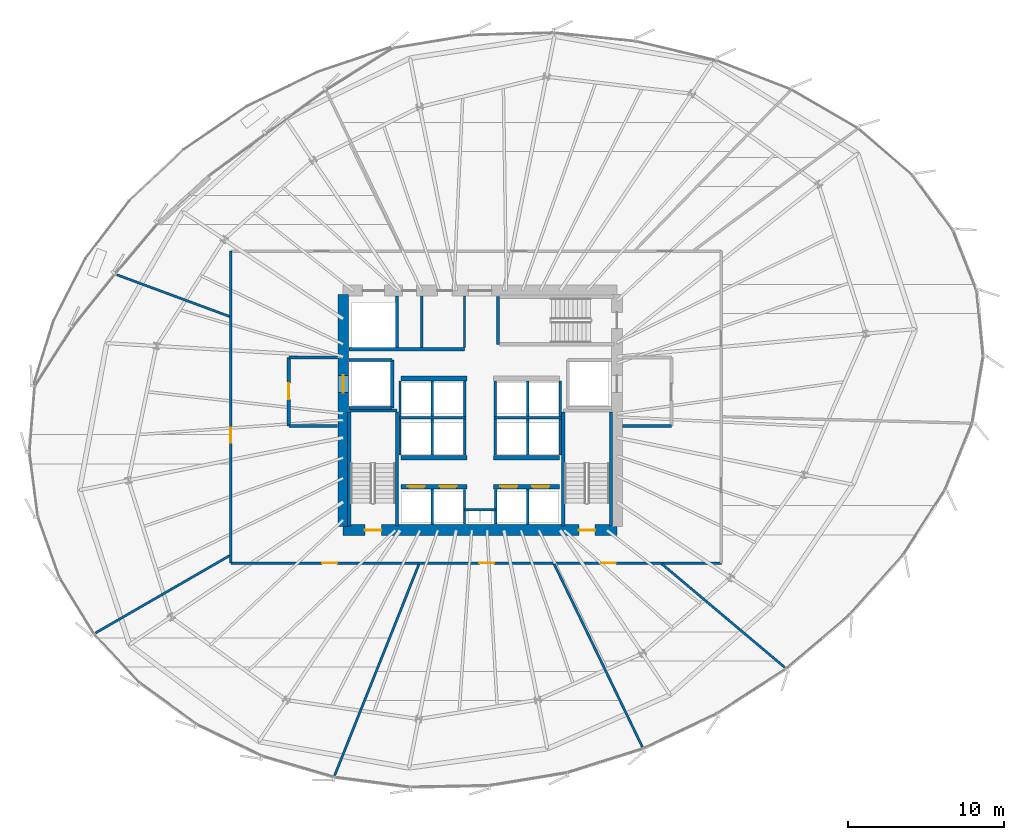
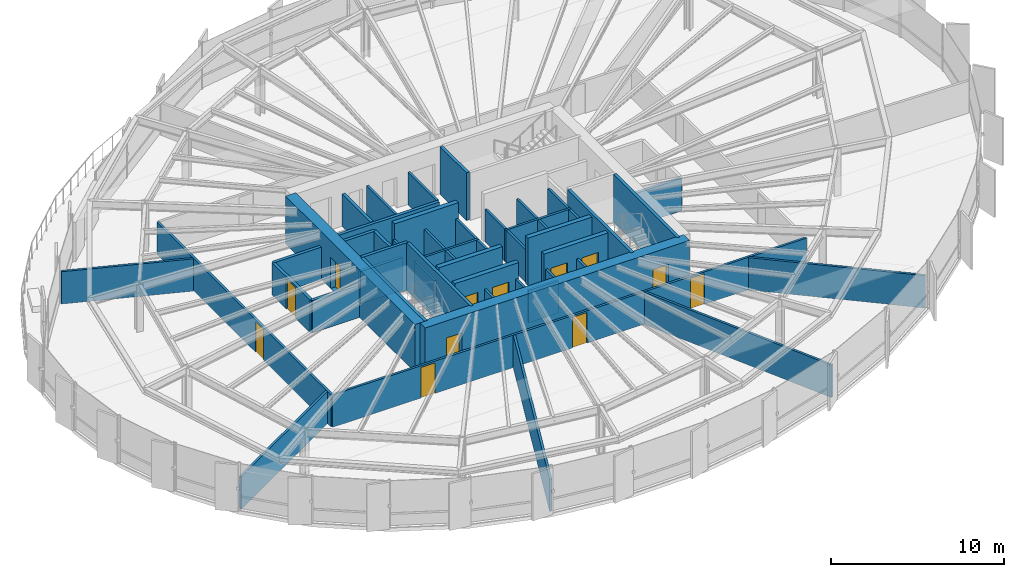
# One storey, part 29 of 35: 50 walls, 12 doors, 12 openings.
"""IFC4 building model written with IfcOpenShell, lengths in metres."""

from ifc_helpers import new_model, si_unit, direction, frame, frame_2d, origin, place, context, subcontext, project, spatial, rectangle, extrude, source, transform, mapped, material, layer, layer_set, type_object, element, fill, save


model = new_model("IFC4")

# Units and contexts
model_context = context("Model", 3, precision=1e-05, world=origin(), true_north=direction((0.0, 1.0)))
body_context = subcontext(model_context, "Body", "Model", "MODEL_VIEW")
ifc_project = project(units=[si_unit("LENGTHUNIT", "METRE"), si_unit("AREAUNIT", "SQUARE_METRE"), si_unit("VOLUMEUNIT", "CUBIC_METRE"), si_unit("PLANEANGLEUNIT", "RADIAN"), si_unit("MASSUNIT", "GRAM", prefix="KILO"), si_unit("THERMODYNAMICTEMPERATUREUNIT", "KELVIN")], contexts=[model_context])

# Site, building, storey
site_placement = place(None, origin())
site = spatial("IfcSite", under=ifc_project, at=site_placement, CompositionType="ELEMENT")
building_placement = place(site_placement, origin())
building = spatial("IfcBuilding", under=site, at=building_placement, Name="Kethvar Cultural Tower", CompositionType="ELEMENT")
storey_placement = place(building_placement, frame((0.0, 0.0, 89.199951171875)))
storey = spatial("IfcBuildingStorey", under=building, at=storey_placement, Name="L21", CompositionType="ELEMENT", Elevation=89.199951171875)

# Wall, openings, doors
ifc_material_1 = material(Name="Concrete C60/75", Category="concrete")
ifc_layer_1 = layer(ifc_material_1, 0.699951171875, Name="Concrete C60/75", Category="concrete")
ifc_layer_set_1 = layer_set([ifc_layer_1], Name="Concrete C60/75 (700 mm)")
wall_type_1 = type_object("IfcWallType", Name="WL-CORE-700", PredefinedType="SHEAR", material=ifc_layer_set_1)
wall_1_placement = place(storey_placement, frame((38.0, 20.10009765625, 0.0), z_axis=(0.0, 0.0, 1.0), x_axis=(1.0, 0.0, 0.0)))
wall_1 = element("IfcWall", 1, at=wall_1_placement, inside=storey, type_object=wall_type_1, Name="L21 Core Shear Wall S", PredefinedType="SHEAR", context=body_context, shape_type="SweptSolid", body=[
    extrude(rectangle(XDim=17.60009765625, YDim=0.699951171875, at=frame_2d((8.800048828125, 0.0))), origin(), (0.0, 0.0, 1.0), 3.35009765625),
])
opening_1_placement = place(wall_1_placement, frame((1.39990234375, 0.0, 0.0)))
opening_1 = element("IfcOpeningElement", 2, at=opening_1_placement, cuts=wall_1, Name="Opening D-L21-S1", PredefinedType="OPENING", context=body_context, shape_type="SweptSolid", body=[
    extrude(rectangle(XDim=1.050048828125, YDim=2.14990234375, at=frame_2d((0.52490234375, 1.074951171875))), frame((0.0, 0.35986328125, 0.0), z_axis=(0.0, -1.0, 0.0), x_axis=(1.0, 0.0, 0.0)), (0.0, 0.0, 1.0), 0.719970703125),
])
opening_2_placement = place(wall_1_placement, frame((15.14990234375, 0.0, 0.0)))
opening_2 = element("IfcOpeningElement", 3, at=opening_2_placement, cuts=wall_1, Name="Opening D-L21-ST2", PredefinedType="OPENING", context=body_context, shape_type="SweptSolid", body=[
    extrude(rectangle(XDim=1.050048828125, YDim=2.14990234375, at=frame_2d((0.52490234375, 1.074951171875))), frame((0.0, 0.35986328125, 0.0), z_axis=(0.0, -1.0, 0.0), x_axis=(1.0, 0.0, 0.0)), (0.0, 0.0, 1.0), 0.719970703125),
])
ifc_material_2 = material(Name="Steel S355J2", Category="steel")
door_type_1 = type_object("IfcDoorType", Name="DR-FD60-1050", OperationType="NOTDEFINED", PredefinedType="DOOR", material=ifc_material_2)
shared_shape_1 = source(origin(), body_context, "Body", "SweptSolid", [
    extrude(rectangle(XDim=1.050048828125, YDim=2.14990234375, at=frame_2d((0.52490234375, 1.074951171875))), frame((0.0, 0.02490234375, 0.0), z_axis=(0.0, -1.0, 0.0), x_axis=(1.0, 0.0, 0.0)), (0.0, 0.0, 1.0), 0.050048828125),
])
door_1_placement = place(opening_1_placement, origin())
door_1 = element("IfcDoor", 4, at=door_1_placement, inside=storey, type_object=door_type_1, Name="L21 Exit Stair 1 Door", OperationType="SINGLE_SWING_LEFT", OverallHeight=2.14990234375, OverallWidth=1.050048828125, PredefinedType="DOOR", context=body_context, shape_type="MappedRepresentation", body=[
    mapped(shared_shape_1, transform((0.0, 0.0, 0.0), scale=1.0)),
])
fill(opening_1, door_1)
door_2_placement = place(opening_2_placement, origin())
door_2 = element("IfcDoor", 5, at=door_2_placement, inside=storey, type_object=door_type_1, Name="L21 Exit Stair 2 Door", OperationType="SINGLE_SWING_RIGHT", OverallHeight=2.14990234375, OverallWidth=1.050048828125, PredefinedType="DOOR", context=body_context, shape_type="MappedRepresentation", body=[
    mapped(shared_shape_1, transform((0.0, 0.0, 0.0), scale=1.0)),
])
fill(opening_2, door_2)

# Wall, opening, door
wall_2_placement = place(storey_placement, frame((38.0, 35.260009765625, 0.0), z_axis=(0.0, 0.0, 1.0), x_axis=(0.0, -1.0, 0.0)))
wall_2 = element("IfcWall", 6, at=wall_2_placement, inside=storey, type_object=wall_type_1, Name="L21 Core Shear Wall W", PredefinedType="SHEAR", context=body_context, shape_type="SweptSolid", body=[
    extrude(rectangle(XDim=14.919921875, YDim=0.699951171875, at=frame_2d((7.4599609375, 0.0))), origin(), (0.0, 0.0, 1.0), 3.35009765625),
])
opening_3_placement = place(wall_2_placement, frame((5.2099609375, 0.0, 0.0)))
opening_3 = element("IfcOpeningElement", 7, at=opening_3_placement, cuts=wall_2, Name="Opening LD-1", PredefinedType="OPENING", context=body_context, shape_type="SweptSolid", body=[
    extrude(rectangle(XDim=1.10009765625, YDim=2.199951171875, at=frame_2d((0.550048828125, 1.10009765625))), frame((0.0, 0.35986328125, 0.0), z_axis=(0.0, -1.0, 0.0), x_axis=(1.0, 0.0, 0.0)), (0.0, 0.0, 1.0), 0.719970703125),
])
door_type_2 = type_object("IfcDoorType", Name="DR-LIFT-SLIDE-1100", OperationType="NOTDEFINED", PredefinedType="DOOR", material=ifc_material_2)
shared_shape_2 = source(origin(), body_context, "Body", "SweptSolid", [
    extrude(rectangle(XDim=1.10009765625, YDim=2.199951171875, at=frame_2d((0.550048828125, 1.10009765625))), frame((0.0, 0.02490234375, 0.0), z_axis=(0.0, -1.0, 0.0), x_axis=(1.0, 0.0, 0.0)), (0.0, 0.0, 1.0), 0.050048828125),
])
door_3_placement = place(opening_3_placement, origin())
door_3 = element("IfcDoor", 8, at=door_3_placement, inside=storey, type_object=door_type_2, Name="L21 Firefighting Lift Landing Door FFL-01", OperationType="SLIDING_TO_LEFT", OverallHeight=2.199951171875, OverallWidth=1.10009765625, PredefinedType="DOOR", context=body_context, shape_type="MappedRepresentation", body=[
    mapped(shared_shape_2, transform((0.0, 0.0, 0.0), scale=1.0)),
])
fill(opening_3, door_3)

# Walls
ifc_material_3 = material(Name="Gypsum Fireboard Partition")
ifc_layer_2 = layer(ifc_material_3, 0.14990234375, Name="Gypsum Fireboard Partition")
ifc_layer_set_2 = layer_set([ifc_layer_2], Name="Gypsum Fireboard Partition (150 mm)")
wall_type_2 = type_object("IfcWallType", Name="WL-FIRE-150", PredefinedType="PARTITIONING", material=ifc_layer_set_2)
wall_3_placement = place(storey_placement, frame((45.800048828125, 21.419921875, 0.0), z_axis=(0.0, 0.0, 1.0), x_axis=(1.0, 0.0, 0.0)))
element("IfcWall", 9, at=wall_3_placement, inside=storey, type_object=wall_type_2, Name="L21 Core Riser Wall", PredefinedType="PARTITIONING", context=body_context, shape_type="SweptSolid", body=[
    extrude(rectangle(XDim=2.0, YDim=0.14990234375, at=frame_2d((1.0, 0.0))), origin(), (0.0, 0.0, 1.0), 2.280029296875),
])
for number, where, z_axis, x_axis, name in (
    (10, (45.800048828125, 20.47998046875, 0.0), (0.0, 0.0, 1.0), (0.0, 1.0, 0.0), "L21 Core Riser West Wall"),
    (11, (47.800048828125, 20.47998046875, 0.0), (0.0, 0.0, 1.0), (0.0, 1.0, 0.0), "L21 Core Riser East Wall"),
):
    element("IfcWall", number, at=place(storey_placement, frame(where, z_axis=z_axis, x_axis=x_axis)), inside=storey, type_object=wall_type_2, Name=name, PredefinedType="PARTITIONING", context=body_context, shape_type="SweptSolid", body=[
        extrude(rectangle(XDim=2.239990234375, YDim=0.14990234375, at=frame_2d((1.1201171875, 0.0))), origin(), (0.0, 0.0, 1.0), 2.280029296875),
    ])
for number, where, z_axis, x_axis, name in (
    (12, (43.72509765625, 20.4599609375, 0.0), (0.0, 0.0, 1.0), (0.0, 1.0, 0.0), "L21 Low-Rise Lift Shaft Divider W"),
    (13, (49.875, 20.4599609375, 0.0), (0.0, 0.0, 1.0), (0.0, 1.0, 0.0), "L21 Low-Rise Lift Shaft Divider E"),
):
    element("IfcWall", number, at=place(storey_placement, frame(where, z_axis=z_axis, x_axis=x_axis)), inside=storey, type_object=wall_type_2, Name=name, PredefinedType="PARTITIONING", context=body_context, shape_type="SweptSolid", body=[
        extrude(rectangle(XDim=2.27001953125, YDim=0.14990234375, at=frame_2d((1.135009765625, 0.0))), origin(), (0.0, 0.0, 1.0), 2.280029296875),
    ])
wall_4_placement = place(storey_placement, frame((41.580078125, 27.324951171875, 0.0), z_axis=(0.0, 0.0, 1.0), x_axis=(1.0, 0.0, 0.0)))
element("IfcWall", 14, at=wall_4_placement, inside=storey, type_object=wall_type_2, Name="L21 Mid-High Lift Shaft Back Wall W", PredefinedType="PARTITIONING", context=body_context, shape_type="SweptSolid", body=[
    extrude(rectangle(XDim=4.31982421875, YDim=0.14990234375, at=frame_2d((2.159912109375, 0.0))), origin(), (0.0, 0.0, 1.0), 2.280029296875),
])
wall_5_placement = place(storey_placement, frame((47.699951171875, 27.324951171875, 0.0), z_axis=(0.0, 0.0, 1.0), x_axis=(1.0, 0.0, 0.0)))
element("IfcWall", 15, at=wall_5_placement, inside=storey, type_object=wall_type_2, Name="L21 Mid-High Lift Shaft Back Wall E", PredefinedType="PARTITIONING", context=body_context, shape_type="SweptSolid", body=[
    extrude(rectangle(XDim=4.320068359375, YDim=0.14990234375, at=frame_2d((2.16015625, 0.0))), origin(), (0.0, 0.0, 1.0), 2.280029296875),
])
for number, where, z_axis, x_axis, name in (
    (16, (41.64990234375, 24.919921875, 0.0), (0.0, 0.0, 1.0), (0.0, 1.0, 0.0), "L21 Mid-Rise Lift Shaft Outer Wall W"),
    (17, (43.72509765625, 24.919921875, 0.0), (0.0, 0.0, 1.0), (0.0, 1.0, 0.0), "L21 Mid-Rise Lift Shaft Divider W"),
    (18, (45.824951171875, 24.919921875, 0.0), (0.0, 0.0, 1.0), (0.0, 1.0, 0.0), "L21 Mid-Rise Lift Shaft Concourse Wall W"),
    (19, (47.77490234375, 24.919921875, 0.0), (0.0, 0.0, 1.0), (0.0, 1.0, 0.0), "L21 Mid-Rise Lift Shaft Concourse Wall E"),
    (20, (49.875, 24.919921875, 0.0), (0.0, 0.0, 1.0), (0.0, 1.0, 0.0), "L21 Mid-Rise Lift Shaft Divider E"),
    (21, (51.949951171875, 24.919921875, 0.0), (0.0, 0.0, 1.0), (0.0, 1.0, 0.0), "L21 Mid-Rise Lift Shaft Outer Wall E"),
):
    element("IfcWall", number, at=place(storey_placement, frame(where, z_axis=z_axis, x_axis=x_axis)), inside=storey, type_object=wall_type_2, Name=name, PredefinedType="PARTITIONING", context=body_context, shape_type="SweptSolid", body=[
        extrude(rectangle(XDim=2.320068359375, YDim=0.14990234375, at=frame_2d((1.16015625, 0.0))), origin(), (0.0, 0.0, 1.0), 2.280029296875),
    ])
for number, where, z_axis, x_axis, name in (
    (22, (41.64990234375, 27.409912109375, 0.0), (0.0, 0.0, 1.0), (0.0, 1.0, 0.0), "L21 High-Rise Lift Shaft Outer Wall W"),
    (23, (43.72509765625, 27.409912109375, 0.0), (0.0, 0.0, 1.0), (0.0, 1.0, 0.0), "L21 High-Rise Lift Shaft Divider W"),
    (24, (45.824951171875, 27.409912109375, 0.0), (0.0, 0.0, 1.0), (0.0, 1.0, 0.0), "L21 High-Rise Lift Shaft Concourse Wall W"),
    (25, (47.77490234375, 27.409912109375, 0.0), (0.0, 0.0, 1.0), (0.0, 1.0, 0.0), "L21 High-Rise Lift Shaft Concourse Wall E"),
    (26, (49.875, 27.409912109375, 0.0), (0.0, 0.0, 1.0), (0.0, 1.0, 0.0), "L21 High-Rise Lift Shaft Divider E"),
    (27, (51.949951171875, 27.409912109375, 0.0), (0.0, 0.0, 1.0), (0.0, 1.0, 0.0), "L21 High-Rise Lift Shaft Outer Wall E"),
):
    element("IfcWall", number, at=place(storey_placement, frame(where, z_axis=z_axis, x_axis=x_axis)), inside=storey, type_object=wall_type_2, Name=name, PredefinedType="PARTITIONING", context=body_context, shape_type="SweptSolid", body=[
        extrude(rectangle(XDim=2.27001953125, YDim=0.14990234375, at=frame_2d((1.135009765625, 0.0))), origin(), (0.0, 0.0, 1.0), 2.280029296875),
    ])
wall_6_placement = place(storey_placement, frame((45.800048828125, 31.85009765625, 0.0), z_axis=(0.0, 0.0, 1.0), x_axis=(0.0, 1.0, 0.0)))
element("IfcWall", 28, at=wall_6_placement, inside=storey, type_object=wall_type_2, Name="L21 Sanitary Spine Wall", PredefinedType="PARTITIONING", context=body_context, shape_type="SweptSolid", body=[
    extrude(rectangle(XDim=3.289794921875, YDim=0.14990234375, at=frame_2d((1.64501953125, 0.0))), origin(), (0.0, 0.0, 1.0), 2.280029296875),
])

# Wall, openings, doors
wall_7_placement = place(storey_placement, frame((30.77001953125, 17.97998046875, 0.0), z_axis=(0.0, 0.0, 1.0), x_axis=(1.0, 0.0, 0.0)))
wall_7 = element("IfcWall", 29, at=wall_7_placement, inside=storey, type_object=wall_type_2, Name="L21 Corridor Rated Wall S", PredefinedType="PARTITIONING", context=body_context, shape_type="SweptSolid", body=[
    extrude(rectangle(XDim=31.5400390625, YDim=0.14990234375, at=frame_2d((15.77001953125, 0.0))), origin(), (0.0, 0.0, 1.0), 2.280029296875),
])
opening_4_placement = place(wall_7_placement, frame((5.88037109375, 0.0, 0.0)))
opening_4 = element("IfcOpeningElement", 30, at=opening_4_placement, cuts=wall_7, Name="Opening D-L21-01", PredefinedType="OPENING", context=body_context, shape_type="SweptSolid", body=[
    extrude(rectangle(XDim=0.949951171875, YDim=2.14990234375, at=frame_2d((0.47509765625, 1.074951171875))), frame((0.0, 0.0849609375, 0.0), z_axis=(0.0, -1.0, 0.0), x_axis=(1.0, 0.0, 0.0)), (0.0, 0.0, 1.0), 0.169921875),
])
opening_5_placement = place(wall_7_placement, frame((15.977783203125, 0.0, 0.0)))
opening_5 = element("IfcOpeningElement", 31, at=opening_5_placement, cuts=wall_7, Name="Opening D-L21-02", PredefinedType="OPENING", context=body_context, shape_type="SweptSolid", body=[
    extrude(rectangle(XDim=0.949951171875, YDim=2.14990234375, at=frame_2d((0.47509765625, 1.074951171875))), frame((0.0, 0.0849609375, 0.0), z_axis=(0.0, -1.0, 0.0), x_axis=(1.0, 0.0, 0.0)), (0.0, 0.0, 1.0), 0.169921875),
])
opening_6_placement = place(wall_7_placement, frame((23.811767578125, 0.0, 0.0)))
opening_6 = element("IfcOpeningElement", 32, at=opening_6_placement, cuts=wall_7, Name="Opening D-L21-03", PredefinedType="OPENING", context=body_context, shape_type="SweptSolid", body=[
    extrude(rectangle(XDim=0.949951171875, YDim=2.14990234375, at=frame_2d((0.47509765625, 1.074951171875))), frame((0.0, 0.0849609375, 0.0), z_axis=(0.0, -1.0, 0.0), x_axis=(1.0, 0.0, 0.0)), (0.0, 0.0, 1.0), 0.169921875),
])
ifc_material_4 = material(Name="Architectural Oak Timber", Category="wood")
door_type_3 = type_object("IfcDoorType", Name="DR-FD30-950", OperationType="NOTDEFINED", PredefinedType="DOOR", material=ifc_material_4)
shared_shape_3 = source(origin(), body_context, "Body", "SweptSolid", [
    extrude(rectangle(XDim=0.949951171875, YDim=2.14990234375, at=frame_2d((0.47509765625, 1.074951171875))), frame((0.0, 0.02490234375, 0.0), z_axis=(0.0, -1.0, 0.0), x_axis=(1.0, 0.0, 0.0)), (0.0, 0.0, 1.0), 0.050048828125),
])
door_4_placement = place(opening_4_placement, origin())
door_4 = element("IfcDoor", 33, at=door_4_placement, inside=storey, type_object=door_type_3, Name="L21 Special Collections Storage 01 Door", OperationType="SINGLE_SWING_RIGHT", OverallHeight=2.14990234375, OverallWidth=0.949951171875, PredefinedType="DOOR", context=body_context, shape_type="MappedRepresentation", body=[
    mapped(shared_shape_3, transform((0.0, 0.0, 0.0), scale=1.0)),
])
fill(opening_4, door_4)
door_5_placement = place(opening_5_placement, origin())
door_5 = element("IfcDoor", 34, at=door_5_placement, inside=storey, type_object=door_type_3, Name="L21 Manuscript Archive Store 02 Door", OperationType="SINGLE_SWING_LEFT", OverallHeight=2.14990234375, OverallWidth=0.949951171875, PredefinedType="DOOR", context=body_context, shape_type="MappedRepresentation", body=[
    mapped(shared_shape_3, transform((0.0, 0.0, 0.0), scale=1.0)),
])
fill(opening_5, door_5)
door_6_placement = place(opening_6_placement, origin())
door_6 = element("IfcDoor", 35, at=door_6_placement, inside=storey, type_object=door_type_3, Name="L21 Artifact Conservation Storage 03 Door", OperationType="SINGLE_SWING_RIGHT", OverallHeight=2.14990234375, OverallWidth=0.949951171875, PredefinedType="DOOR", context=body_context, shape_type="MappedRepresentation", body=[
    mapped(shared_shape_3, transform((0.0, 0.0, 0.0), scale=1.0)),
])
fill(opening_6, door_6)

# Wall, opening, door
wall_8_placement = place(storey_placement, frame((30.77001953125, 38.0400390625, 0.0), z_axis=(0.0, 0.0, 1.0), x_axis=(0.0, -1.0, 0.0)))
wall_8 = element("IfcWall", 36, at=wall_8_placement, inside=storey, type_object=wall_type_2, Name="L21 Corridor Rated Wall W", PredefinedType="PARTITIONING", context=body_context, shape_type="SweptSolid", body=[
    extrude(rectangle(XDim=20.06005859375, YDim=0.14990234375, at=frame_2d((10.030029296875, 0.0))), origin(), (0.0, 0.0, 1.0), 2.280029296875),
])
opening_7_placement = place(wall_8_placement, frame((11.370361328125, 0.0, 0.0)))
opening_7 = element("IfcOpeningElement", 37, at=opening_7_placement, cuts=wall_8, Name="Opening D-L21-09", PredefinedType="OPENING", context=body_context, shape_type="SweptSolid", body=[
    extrude(rectangle(XDim=0.949951171875, YDim=2.14990234375, at=frame_2d((0.47509765625, 1.074951171875))), frame((0.0, 0.0849609375, 0.0), z_axis=(0.0, -1.0, 0.0), x_axis=(1.0, 0.0, 0.0)), (0.0, 0.0, 1.0), 0.169921875),
])
door_7_placement = place(opening_7_placement, origin())
door_7 = element("IfcDoor", 38, at=door_7_placement, inside=storey, type_object=door_type_3, Name="L21 Researchers' Study Lounge 09 Door", OperationType="SINGLE_SWING_RIGHT", OverallHeight=2.14990234375, OverallWidth=0.949951171875, PredefinedType="DOOR", context=body_context, shape_type="MappedRepresentation", body=[
    mapped(shared_shape_3, transform((0.0, 0.0, 0.0), scale=1.0)),
])
fill(opening_7, door_7)

# Walls
ifc_material_5 = material(Name="Concrete C40/50", Category="concrete")
ifc_layer_3 = layer(ifc_material_5, 0.199951171875, Name="Concrete C40/50", Category="concrete")
ifc_layer_set_3 = layer_set([ifc_layer_3], Name="Concrete C40/50 (200 mm)")
wall_type_3 = type_object("IfcWallType", Name="WL-FIRE-200", PredefinedType="PARTITIONING", material=ifc_layer_set_3)
wall_9_placement = place(storey_placement, frame((41.14990234375, 27.949951171875, 0.0), z_axis=(0.0, 0.0, 1.0), x_axis=(0.0, 1.0, 0.0)))
element("IfcWall", 39, at=wall_9_placement, inside=storey, type_object=wall_type_3, Name="L21 FFL-01 Shaft Inner Wall", PredefinedType="PARTITIONING", context=body_context, shape_type="SweptSolid", body=[
    extrude(rectangle(XDim=3.10009765625, YDim=0.199951171875, at=frame_2d((1.550048828125, 0.0))), origin(), (0.0, 0.0, 1.0), 2.280029296875),
])
for number, where, z_axis, x_axis, name in (
    (40, (38.360107421875, 27.949951171875, 0.0), (0.0, 0.0, 1.0), (1.0, 0.0, 0.0), "L21 FFL-01 Shaft South Wall"),
    (41, (38.360107421875, 31.050048828125, 0.0), (0.0, 0.0, 1.0), (1.0, 0.0, 0.0), "L21 FFL-01 Shaft North Wall"),
):
    element("IfcWall", number, at=place(storey_placement, frame(where, z_axis=z_axis, x_axis=x_axis)), inside=storey, type_object=wall_type_3, Name=name, PredefinedType="PARTITIONING", context=body_context, shape_type="SweptSolid", body=[
        extrude(rectangle(XDim=2.789794921875, YDim=0.199951171875, at=frame_2d((1.39501953125, 0.0))), origin(), (0.0, 0.0, 1.0), 2.280029296875),
    ])

# Wall, opening, door
wall_10_placement = place(storey_placement, frame((34.5, 31.199951171875, 0.0), z_axis=(0.0, 0.0, 1.0), x_axis=(0.0, -1.0, 0.0)))
wall_10 = element("IfcWall", 42, at=wall_10_placement, inside=storey, type_object=wall_type_3, Name="L21 Firefighting Lobby 1 Wall", PredefinedType="PARTITIONING", context=body_context, shape_type="SweptSolid", body=[
    extrude(rectangle(XDim=4.39990234375, YDim=0.199951171875, at=frame_2d((2.199951171875, 0.0))), origin(), (0.0, 0.0, 1.0), 2.280029296875),
])
opening_8_placement = place(wall_10_placement, frame((1.64990234375, 0.0, 0.0)))
opening_8 = element("IfcOpeningElement", 43, at=opening_8_placement, cuts=wall_10, Name="Opening D-L21-F1", PredefinedType="OPENING", context=body_context, shape_type="SweptSolid", body=[
    extrude(rectangle(XDim=1.050048828125, YDim=2.14990234375, at=frame_2d((0.52490234375, 1.074951171875))), frame((0.0, 0.10986328125, 0.0), z_axis=(0.0, -1.0, 0.0), x_axis=(1.0, 0.0, 0.0)), (0.0, 0.0, 1.0), 0.219970703125),
])
door_8_placement = place(opening_8_placement, origin())
door_8 = element("IfcDoor", 44, at=door_8_placement, inside=storey, type_object=door_type_1, Name="L21 Firefighting Lobby 1 Fire Door", OperationType="SINGLE_SWING_LEFT", OverallHeight=2.14990234375, OverallWidth=1.050048828125, PredefinedType="DOOR", context=body_context, shape_type="MappedRepresentation", body=[
    mapped(shared_shape_1, transform((0.0, 0.0, 0.0), scale=1.0)),
])
fill(opening_8, door_8)

# Walls
for number, where, z_axis, x_axis, name in (
    (45, (34.5, 26.800048828125, 0.0), (0.0, 0.0, 1.0), (1.0, 0.0, 0.0), "L21 FF Lobby 1 South Wall"),
    (46, (34.5, 31.199951171875, 0.0), (0.0, 0.0, 1.0), (1.0, 0.0, 0.0), "L21 FF Lobby 1 North Wall"),
):
    element("IfcWall", number, at=place(storey_placement, frame(where, z_axis=z_axis, x_axis=x_axis)), inside=storey, type_object=wall_type_3, Name=name, PredefinedType="PARTITIONING", context=body_context, shape_type="SweptSolid", body=[
        extrude(rectangle(XDim=3.139892578125, YDim=0.199951171875, at=frame_2d((1.56982421875, 0.0))), origin(), (0.0, 0.0, 1.0), 2.280029296875),
    ])
wall_11_placement = place(storey_placement, frame((55.9599609375, 26.800048828125, 0.0), z_axis=(0.0, 0.0, 1.0), x_axis=(1.0, 0.0, 0.0)))
element("IfcWall", 47, at=wall_11_placement, inside=storey, type_object=wall_type_3, Name="L21 FF Lobby 2 South Wall", PredefinedType="PARTITIONING", context=body_context, shape_type="SweptSolid", body=[
    extrude(rectangle(XDim=3.14013671875, YDim=0.199951171875, at=frame_2d((1.570068359375, 0.0))), origin(), (0.0, 0.0, 1.0), 2.280029296875),
])
wall_12_placement = place(storey_placement, frame((41.449951171875, 31.85009765625, 0.0), z_axis=(0.0, 0.0, 1.0), x_axis=(0.0, 1.0, 0.0)))
element("IfcWall", 48, at=wall_12_placement, inside=storey, type_object=wall_type_3, Name="L21 NW Core Pocket Wall", PredefinedType="PARTITIONING", context=body_context, shape_type="SweptSolid", body=[
    extrude(rectangle(XDim=3.289794921875, YDim=0.199951171875, at=frame_2d((1.64501953125, 0.0))), origin(), (0.0, 0.0, 1.0), 2.280029296875),
])
wall_13_placement = place(storey_placement, frame((38.360107421875, 31.72998046875, 0.0), z_axis=(0.0, 0.0, 1.0), x_axis=(1.0, 0.0, 0.0)))
element("IfcWall", 49, at=wall_13_placement, inside=storey, type_object=wall_type_3, Name="L21 North Core Sanitary South Wall", PredefinedType="PARTITIONING", context=body_context, shape_type="SweptSolid", body=[
    extrude(rectangle(XDim=7.43994140625, YDim=0.199951171875, at=frame_2d((3.719970703125, 0.0))), origin(), (0.0, 0.0, 1.0), 2.280029296875),
])
ifc_material_6 = material(Name="Gypsum Acoustic Partition")
ifc_layer_4 = layer(ifc_material_6, 0.14990234375, Name="Gypsum Acoustic Partition")
ifc_layer_set_4 = layer_set([ifc_layer_4], Name="Gypsum Acoustic Partition (150 mm)")
wall_type_4 = type_object("IfcWallType", Name="WL-PART-150", PredefinedType="PARTITIONING", material=ifc_layer_set_4)
wall_14_placement = place(storey_placement, frame((30.70068359375, 18.462646484375, 0.0), z_axis=(0.0, 0.0, 1.0), x_axis=(-0.866312143149, -0.499503023647, 0.0)))
element("IfcWall", 50, at=wall_14_placement, inside=storey, type_object=wall_type_4, Name="L21 Radial Partition Wall 01", PredefinedType="PARTITIONING", context=body_context, shape_type="SweptSolid", body=[
    extrude(rectangle(XDim=9.953857421875, YDim=0.14990234375, at=frame_2d((4.97705078125, 0.0))), origin(), (0.0, 0.0, 1.0), 2.280029296875),
])
wall_15_placement = place(storey_placement, frame((42.87109375, 17.90576171875, 0.0), z_axis=(0.0, 0.0, 1.0), x_axis=(-0.370800538724, -0.92871252844, 0.0)))
element("IfcWall", 51, at=wall_15_placement, inside=storey, type_object=wall_type_4, Name="L21 Radial Partition Wall 02", PredefinedType="PARTITIONING", context=body_context, shape_type="SweptSolid", body=[
    extrude(rectangle(XDim=14.6240234375, YDim=0.14990234375, at=frame_2d((7.31201171875, 0.0))), origin(), (0.0, 0.0, 1.0), 2.280029296875),
])
wall_16_placement = place(storey_placement, frame((51.570068359375, 17.907958984375, 0.0), z_axis=(0.0, 0.0, 1.0), x_axis=(0.434373756615, -0.900732723711, 0.0)))
element("IfcWall", 52, at=wall_16_placement, inside=storey, type_object=wall_type_4, Name="L21 Radial Partition Wall 03", PredefinedType="PARTITIONING", context=body_context, shape_type="SweptSolid", body=[
    extrude(rectangle(XDim=13.044677734375, YDim=0.14990234375, at=frame_2d((6.5224609375, 0.0))), origin(), (0.0, 0.0, 1.0), 2.280029296875),
])
wall_17_placement = place(storey_placement, frame((58.4853515625, 17.928466796875, 0.0), z_axis=(0.0, 0.0, 1.0), x_axis=(0.765056250886, -0.643963456247, 0.0)))
element("IfcWall", 53, at=wall_17_placement, inside=storey, type_object=wall_type_4, Name="L21 Radial Partition Wall 04", PredefinedType="PARTITIONING", context=body_context, shape_type="SweptSolid", body=[
    extrude(rectangle(XDim=10.3427734375, YDim=0.14990234375, at=frame_2d((5.17138671875, 0.0))), origin(), (0.0, 0.0, 1.0), 2.280029296875),
])
wall_18_placement = place(storey_placement, frame((30.695068359375, 33.837890625, 0.0), z_axis=(0.0, 0.0, 1.0), x_axis=(-0.937935058172, 0.346810937907, 0.0)))
element("IfcWall", 54, at=wall_18_placement, inside=storey, type_object=wall_type_4, Name="L21 Radial Partition Wall 09", PredefinedType="PARTITIONING", context=body_context, shape_type="SweptSolid", body=[
    extrude(rectangle(XDim=7.724609375, YDim=0.14990234375, at=frame_2d((3.8623046875, 0.0))), origin(), (0.0, 0.0, 1.0), 2.280029296875),
])
ifc_material_7 = material(Name="Moisture-Resistant Sanitary Chase Wall")
ifc_layer_5 = layer(ifc_material_7, 0.14990234375, Name="Moisture-Resistant Sanitary Chase Wall")
ifc_layer_set_5 = layer_set([ifc_layer_5], Name="Moisture-Resistant Sanitary Chase Wall (150 mm)")
wall_type_5 = type_object("IfcWallType", Name="WL-PLUMB-150", PredefinedType="PLUMBINGWALL", material=ifc_layer_set_5)
wall_19_placement = place(storey_placement, frame((43.050048828125, 31.85009765625, 0.0), z_axis=(0.0, 0.0, 1.0), x_axis=(0.0, 1.0, 0.0)))
element("IfcWall", 55, at=wall_19_placement, inside=storey, type_object=wall_type_5, Name="L21 Sanitary Plumbing Wall", PredefinedType="PLUMBINGWALL", context=body_context, shape_type="SweptSolid", body=[
    extrude(rectangle(XDim=3.289794921875, YDim=0.14990234375, at=frame_2d((1.64501953125, 0.0))), origin(), (0.0, 0.0, 1.0), 2.280029296875),
])

# Wall, openings, doors
ifc_material_8 = material(Name="Concrete C50/60", Category="concrete")
ifc_layer_6 = layer(ifc_material_8, 0.300048828125, Name="Concrete C50/60", Category="concrete")
ifc_layer_set_6 = layer_set([ifc_layer_6], Name="Concrete C50/60 (300 mm)")
wall_type_6 = type_object("IfcWallType", Name="WL-SHAFT-300", PredefinedType="SHEAR", material=ifc_layer_set_6)
wall_20_placement = place(storey_placement, frame((41.699951171875, 22.89990234375, 0.0), z_axis=(0.0, 0.0, 1.0), x_axis=(1.0, 0.0, 0.0)))
wall_20 = element("IfcWall", 56, at=wall_20_placement, inside=storey, type_object=wall_type_6, Name="L21 Core Lift Spine Wall MID1W", PredefinedType="SHEAR", context=body_context, shape_type="SweptSolid", body=[
    extrude(rectangle(XDim=4.25, YDim=0.300048828125, at=frame_2d((2.125, 0.0))), origin(), (0.0, 0.0, 1.0), 3.35009765625),
])
opening_9_placement = place(wall_20_placement, frame((0.449951171875, 0.0, 0.0)))
opening_9 = element("IfcOpeningElement", 57, at=opening_9_placement, cuts=wall_20, Name="Opening LD-L1", PredefinedType="OPENING", context=body_context, shape_type="SweptSolid", body=[
    extrude(rectangle(XDim=1.10009765625, YDim=2.199951171875, at=frame_2d((0.550048828125, 1.10009765625))), frame((0.0, 0.159912109375, 0.0), z_axis=(0.0, -1.0, 0.0), x_axis=(1.0, 0.0, 0.0)), (0.0, 0.0, 1.0), 0.320068359375),
])
opening_10_placement = place(wall_20_placement, frame((2.5, 0.0, 0.0)))
opening_10 = element("IfcOpeningElement", 58, at=opening_10_placement, cuts=wall_20, Name="Opening LD-L2", PredefinedType="OPENING", context=body_context, shape_type="SweptSolid", body=[
    extrude(rectangle(XDim=1.10009765625, YDim=2.199951171875, at=frame_2d((0.550048828125, 1.10009765625))), frame((0.0, 0.159912109375, 0.0), z_axis=(0.0, -1.0, 0.0), x_axis=(1.0, 0.0, 0.0)), (0.0, 0.0, 1.0), 0.320068359375),
])
door_9_placement = place(opening_9_placement, origin())
door_9 = element("IfcDoor", 59, at=door_9_placement, inside=storey, type_object=door_type_2, Name="L21 Low-Rise Lift Landing Door L1", OperationType="SLIDING_TO_LEFT", OverallHeight=2.199951171875, OverallWidth=1.10009765625, PredefinedType="DOOR", context=body_context, shape_type="MappedRepresentation", body=[
    mapped(shared_shape_2, transform((0.0, 0.0, 0.0), scale=1.0)),
])
fill(opening_9, door_9)
door_10_placement = place(opening_10_placement, origin())
door_10 = element("IfcDoor", 60, at=door_10_placement, inside=storey, type_object=door_type_2, Name="L21 Low-Rise Lift Landing Door L2", OperationType="SLIDING_TO_LEFT", OverallHeight=2.199951171875, OverallWidth=1.10009765625, PredefinedType="DOOR", context=body_context, shape_type="MappedRepresentation", body=[
    mapped(shared_shape_2, transform((0.0, 0.0, 0.0), scale=1.0)),
])
fill(opening_10, door_10)

wall_21_placement = place(storey_placement, frame((47.64990234375, 22.89990234375, 0.0), z_axis=(0.0, 0.0, 1.0), x_axis=(1.0, 0.0, 0.0)))
wall_21 = element("IfcWall", 61, at=wall_21_placement, inside=storey, type_object=wall_type_6, Name="L21 Core Lift Spine Wall MID1E", PredefinedType="SHEAR", context=body_context, shape_type="SweptSolid", body=[
    extrude(rectangle(XDim=4.25, YDim=0.300048828125, at=frame_2d((2.125, 0.0))), origin(), (0.0, 0.0, 1.0), 3.35009765625),
])
opening_11_placement = place(wall_21_placement, frame((0.449951171875, 0.0, 0.0)))
opening_11 = element("IfcOpeningElement", 62, at=opening_11_placement, cuts=wall_21, Name="Opening LD-L3", PredefinedType="OPENING", context=body_context, shape_type="SweptSolid", body=[
    extrude(rectangle(XDim=1.10009765625, YDim=2.199951171875, at=frame_2d((0.550048828125, 1.10009765625))), frame((0.0, 0.159912109375, 0.0), z_axis=(0.0, -1.0, 0.0), x_axis=(1.0, 0.0, 0.0)), (0.0, 0.0, 1.0), 0.320068359375),
])
opening_12_placement = place(wall_21_placement, frame((2.5, 0.0, 0.0)))
opening_12 = element("IfcOpeningElement", 63, at=opening_12_placement, cuts=wall_21, Name="Opening LD-L4", PredefinedType="OPENING", context=body_context, shape_type="SweptSolid", body=[
    extrude(rectangle(XDim=1.10009765625, YDim=2.199951171875, at=frame_2d((0.550048828125, 1.10009765625))), frame((0.0, 0.159912109375, 0.0), z_axis=(0.0, -1.0, 0.0), x_axis=(1.0, 0.0, 0.0)), (0.0, 0.0, 1.0), 0.320068359375),
])
door_11_placement = place(opening_11_placement, origin())
door_11 = element("IfcDoor", 64, at=door_11_placement, inside=storey, type_object=door_type_2, Name="L21 Low-Rise Lift Landing Door L3", OperationType="SLIDING_TO_LEFT", OverallHeight=2.199951171875, OverallWidth=1.10009765625, PredefinedType="DOOR", context=body_context, shape_type="MappedRepresentation", body=[
    mapped(shared_shape_2, transform((0.0, 0.0, 0.0), scale=1.0)),
])
fill(opening_11, door_11)
door_12_placement = place(opening_12_placement, origin())
door_12 = element("IfcDoor", 65, at=door_12_placement, inside=storey, type_object=door_type_2, Name="L21 Low-Rise Lift Landing Door L4", OperationType="SLIDING_TO_LEFT", OverallHeight=2.199951171875, OverallWidth=1.10009765625, PredefinedType="DOOR", context=body_context, shape_type="MappedRepresentation", body=[
    mapped(shared_shape_2, transform((0.0, 0.0, 0.0), scale=1.0)),
])
fill(opening_12, door_12)

# Walls
for number, where, z_axis, x_axis, name in (
    (66, (41.699951171875, 24.75, 0.0), (0.0, 0.0, 1.0), (1.0, 0.0, 0.0), "L21 Core Lift Spine Wall MID2W"),
    (67, (47.64990234375, 24.75, 0.0), (0.0, 0.0, 1.0), (1.0, 0.0, 0.0), "L21 Core Lift Spine Wall MID2E"),
    (68, (41.699951171875, 29.85009765625, 0.0), (0.0, 0.0, 1.0), (1.0, 0.0, 0.0), "L21 Core Lift Spine Wall MID3W"),
):
    element("IfcWall", number, at=place(storey_placement, frame(where, z_axis=z_axis, x_axis=x_axis)), inside=storey, type_object=wall_type_6, Name=name, PredefinedType="SHEAR", context=body_context, shape_type="SweptSolid", body=[
        extrude(rectangle(XDim=4.25, YDim=0.300048828125, at=frame_2d((2.125, 0.0))), origin(), (0.0, 0.0, 1.0), 3.35009765625),
    ])
ifc_layer_7 = layer(ifc_material_8, 0.199951171875, Name="Concrete C50/60", Category="concrete")
ifc_layer_set_7 = layer_set([ifc_layer_7], Name="Concrete C50/60 (200 mm)")
wall_type_7 = type_object("IfcWallType", Name="WL-STSHAFT-200", PredefinedType="SHEAR", material=ifc_layer_set_7)
wall_22_placement = place(storey_placement, frame((38.389892578125, 27.800048828125, 0.0), z_axis=(0.0, 0.0, 1.0), x_axis=(1.0, 0.0, 0.0)))
element("IfcWall", 69, at=wall_22_placement, inside=storey, type_object=wall_type_7, Name="L21 ST-01 Stair Shaft Wall FAR", PredefinedType="SHEAR", context=body_context, shape_type="SweptSolid", body=[
    extrude(rectangle(XDim=3.06005859375, YDim=0.199951171875, at=frame_2d((1.530029296875, 0.0))), origin(), (0.0, 0.0, 1.0), 3.35009765625),
])
for number, where, z_axis, x_axis, name in (
    (70, (41.449951171875, 27.699951171875, 0.0), (0.0, 0.0, 1.0), (0.0, -1.0, 0.0), "L21 ST-01 Stair Shaft Wall LEFT"),
    (71, (38.389892578125, 20.35009765625, 0.0), (0.0, 0.0, 1.0), (0.0, 1.0, 0.0), "L21 ST-01 Stair Shaft Wall RIGHT"),
    (72, (55.2099609375, 27.699951171875, 0.0), (0.0, 0.0, 1.0), (0.0, -1.0, 0.0), "L21 ST-02 Stair Shaft Wall LEFT"),
    (73, (52.14990234375, 20.35009765625, 0.0), (0.0, 0.0, 1.0), (0.0, 1.0, 0.0), "L21 ST-02 Stair Shaft Wall RIGHT"),
):
    element("IfcWall", number, at=place(storey_placement, frame(where, z_axis=z_axis, x_axis=x_axis)), inside=storey, type_object=wall_type_7, Name=name, PredefinedType="SHEAR", context=body_context, shape_type="SweptSolid", body=[
        extrude(rectangle(XDim=7.349853515625, YDim=0.199951171875, at=frame_2d((3.6748046875, 0.0))), origin(), (0.0, 0.0, 1.0), 3.35009765625),
    ])
wall_23_placement = place(storey_placement, frame((47.949951171875, 32.050048828125, 0.0), z_axis=(0.0, 0.0, 1.0), x_axis=(0.0, 1.0, 0.0)))
element("IfcWall", 74, at=wall_23_placement, inside=storey, type_object=wall_type_7, Name="L21 ST-03 Stair Shaft Wall FAR", PredefinedType="SHEAR", context=body_context, shape_type="SweptSolid", body=[
    extrude(rectangle(XDim=3.06005859375, YDim=0.199951171875, at=frame_2d((1.530029296875, 0.0))), origin(), (0.0, 0.0, 1.0), 3.35009765625),
])

save(model, "model.ifc")
